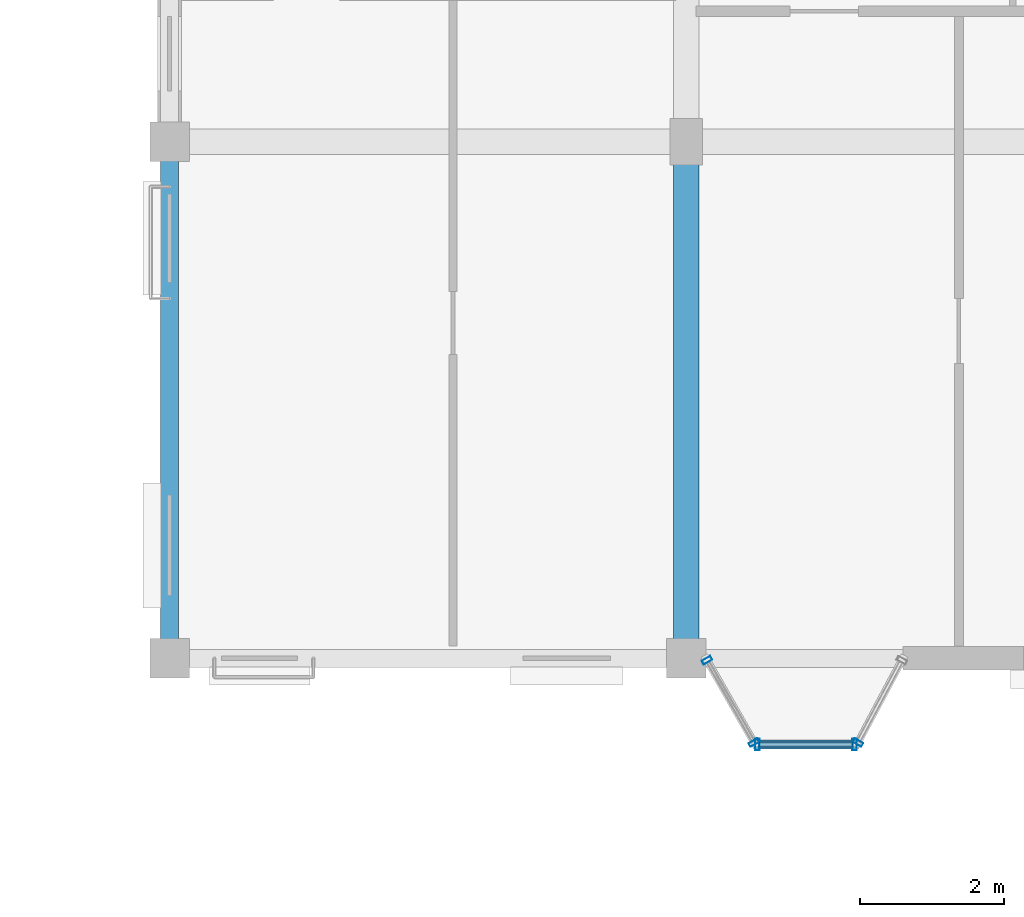
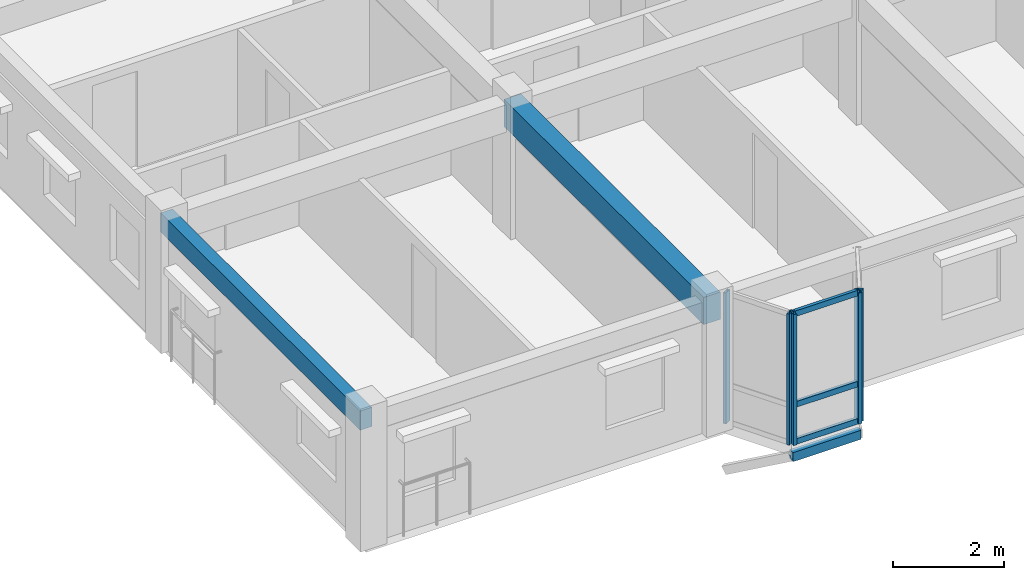
# One storey, part 27 of 75: 9 members, 2 beams, 3 elements without a shape of their own.
"""IFC4 building model written with IfcOpenShell, lengths in metres."""

from ifc_helpers import new_model, si_unit, direction, frame, origin, origin_2d, place, context, subcontext, project, spatial, rectangle, hollow_rectangle, extrude, material, layer, layer_set, material_profile, profile_set, type_object, element, aggregate, save


model = new_model("IFC4")

# Units and contexts
model_context = context("Model", 3, precision=1e-05, world=origin(), true_north=direction((0.0, 1.0)))
body_context = subcontext(model_context, "Body", "Model", "MODEL_VIEW")
ifc_project = project(units=[si_unit("LENGTHUNIT", "METRE"), si_unit("AREAUNIT", "SQUARE_METRE"), si_unit("VOLUMEUNIT", "CUBIC_METRE"), si_unit("PLANEANGLEUNIT", "RADIAN"), si_unit("MASSUNIT", "GRAM", prefix="KILO"), si_unit("THERMODYNAMICTEMPERATUREUNIT", "KELVIN"), si_unit("POWERUNIT", "WATT")], contexts=[model_context])

# Site, building, storey
site_placement = place(None, origin())
site = spatial("IfcSite", under=ifc_project, at=site_placement, CompositionType="ELEMENT")
building_placement = place(site_placement, origin())
building = spatial("IfcBuilding", under=site, at=building_placement, Name="Tavuni Mirador Residences", CompositionType="ELEMENT")
storey_placement = place(building_placement, frame((0.0, 0.0, 20.25)))
storey = spatial("IfcBuildingStorey", under=building, at=storey_placement, Name="L06", CompositionType="ELEMENT", Elevation=20.25)

# Beams
ifc_material_1 = material(Name="Precast concrete C40/50", Category="concrete")
ifc_material_profile_1 = material_profile(ifc_material_1, rectangle(XDim=0.35009765625, YDim=0.60009765625, at=origin_2d()), Name="PC 350x600", Category="concrete")
ifc_profile_set_1 = profile_set([ifc_material_profile_1], Name="Precast concrete C40/50")
beam_type_1 = type_object("IfcBeamType", Name="BT-B600", PredefinedType="BEAM", material=ifc_profile_set_1)
beam_1_placement = place(storey_placement, frame((18.0, 144.0, 2.5849609375), z_axis=(0.0, 1.0, 0.0), x_axis=(-1.0, 0.0, 0.0)))
element("IfcBeam", 1, at=beam_1_placement, inside=storey, type_object=beam_type_1, Name="BMY-BLK-C-L06-01-00", PredefinedType="BEAM", context=body_context, shape_type="SweptSolid", body=[
    extrude(rectangle(XDim=0.35009765625, YDim=0.60009765625, at=origin_2d()), origin(), (0.0, 0.0, 1.0), 7.199951171875),
])
ifc_material_profile_2 = material_profile(ifc_material_1, rectangle(XDim=0.25, YDim=0.419921875, at=origin_2d()), Name="PC 250x420", Category="concrete")
ifc_profile_set_2 = profile_set([ifc_material_profile_2], Name="Precast concrete C40/50")
beam_type_2 = type_object("IfcBeamType", Name="BT-SP420", PredefinedType="SPANDREL", material=ifc_profile_set_2)
beam_2_placement = place(storey_placement, frame((10.800048828125, 144.0, 2.675048828125), z_axis=(0.0, 1.0, 0.0), x_axis=(-1.0, 0.0, 0.0)))
element("IfcBeam", 2, at=beam_2_placement, inside=storey, type_object=beam_type_2, Name="BMY-BLK-C-L06-00-00", PredefinedType="SPANDREL", context=body_context, shape_type="SweptSolid", body=[
    extrude(rectangle(XDim=0.25, YDim=0.419921875, at=origin_2d()), origin(), (0.0, 0.0, 1.0), 7.199951171875),
])

# Curtain wall, members
ifc_material_2 = material(Name="Anodised aluminium", Category="aluminium")
ifc_layer_1 = layer(ifc_material_2, 0.1650390625, Name="Anodised aluminium", Category="aluminium")
ifc_layer_set_1 = layer_set([ifc_layer_1], Name="Anodised aluminium")
curtain_wall_type_1 = type_object("IfcCurtainWallType", Name="CWT-MIR-A", PredefinedType="NOTDEFINED", material=ifc_layer_set_1)
curtain_wall_1_placement = place(storey_placement, origin())
curtain_wall_1 = element("IfcCurtainWall", 3, at=curtain_wall_1_placement, inside=storey, type_object=curtain_wall_type_1, Name="CW-MIR-C-S1-L06-M1", PredefinedType="NOTDEFINED")
ifc_material_profile_3 = material_profile(ifc_material_2, hollow_rectangle(XDim=0.06005859375, YDim=0.139892578125, WallThickness=0.00390625, at=origin_2d()), Name="ALU 60x140x4.0", Category="aluminium")
ifc_profile_set_3 = profile_set([ifc_material_profile_3], Name="Anodised aluminium")
member_type_1 = type_object("IfcMemberType", Name="CWM-140", PredefinedType="MULLION", material=ifc_profile_set_3)
member_1_placement = place(storey_placement, frame((18.289794921875, 143.973876953125, 0.0), z_axis=(0.0, 0.0, 1.0), x_axis=(0.495749192217, -0.868465738194, 0.0)))
member_1 = element("IfcMember", 4, at=member_1_placement, type_object=member_type_1, Name="CW-01 mullion 1", PredefinedType="MULLION", context=body_context, shape_type="SweptSolid", body=[
    extrude(hollow_rectangle(XDim=0.06005859375, YDim=0.139892578125, WallThickness=0.00390625, at=origin_2d()), origin(), (0.0, 0.0, 1.0), 2.885009765625),
])
member_2_placement = place(storey_placement, frame((18.945068359375, 142.826171875, 0.0), z_axis=(0.0, 0.0, 1.0), x_axis=(0.495749192217, -0.868465738194, 0.0)))
member_2 = element("IfcMember", 5, at=member_2_placement, type_object=member_type_1, Name="CW-01 mullion 2", PredefinedType="MULLION", context=body_context, shape_type="SweptSolid", body=[
    extrude(hollow_rectangle(XDim=0.06005859375, YDim=0.139892578125, WallThickness=0.00390625, at=origin_2d()), origin(), (0.0, 0.0, 1.0), 2.885009765625),
])
aggregate(curtain_wall_1, [member_1, member_2])

# Curtain wall, member
ifc_layer_2 = layer(ifc_material_2, 0.175048828125, Name="Anodised aluminium", Category="aluminium")
ifc_layer_set_2 = layer_set([ifc_layer_2], Name="Anodised aluminium")
curtain_wall_type_2 = type_object("IfcCurtainWallType", Name="CWT-MIR-C", PredefinedType="NOTDEFINED", material=ifc_layer_set_2)
curtain_wall_2_placement = place(storey_placement, origin())
curtain_wall_2 = element("IfcCurtainWall", 6, at=curtain_wall_2_placement, inside=storey, type_object=curtain_wall_type_2, Name="CW-MIR-C-S1-L06-M2", PredefinedType="NOTDEFINED")
member_3_placement = place(storey_placement, frame((20.39404296875, 142.826416015625, 0.0), z_axis=(0.0, 0.0, 1.0), x_axis=(0.470588235296, 0.882352941175, 0.0)))
member_3 = element("IfcMember", 7, at=member_3_placement, type_object=member_type_1, Name="CW-03 mullion 1", PredefinedType="MULLION", context=body_context, shape_type="SweptSolid", body=[
    extrude(hollow_rectangle(XDim=0.06005859375, YDim=0.139892578125, WallThickness=0.00390625, at=origin_2d()), origin(), (0.0, 0.0, 1.0), 2.885009765625),
])
aggregate(curtain_wall_2, [member_3])

# Curtain wall, members
ifc_layer_3 = layer(ifc_material_2, 0.14990234375, Name="Anodised aluminium", Category="aluminium")
ifc_layer_set_3 = layer_set([ifc_layer_3], Name="Anodised aluminium")
curtain_wall_type_3 = type_object("IfcCurtainWallType", Name="CWT-MIR-B", PredefinedType="NOTDEFINED", material=ifc_layer_set_3)
curtain_wall_3_placement = place(storey_placement, origin())
curtain_wall_3 = element("IfcCurtainWall", 8, at=curtain_wall_3_placement, inside=storey, type_object=curtain_wall_type_3, Name="CW-MIR-C-S1-L06-MF", PredefinedType="NOTDEFINED")
ifc_material_profile_4 = material_profile(ifc_material_2, hollow_rectangle(XDim=0.06494140625, YDim=0.1650390625, WallThickness=0.00439453125, at=origin_2d()), Name="ALU 65x165x4.5", Category="aluminium")
ifc_profile_set_4 = profile_set([ifc_material_profile_4], Name="Anodised aluminium")
member_type_2 = type_object("IfcMemberType", Name="CWM-165", PredefinedType="MULLION", material=ifc_profile_set_4)
member_4_placement = place(storey_placement, frame((18.992431640625, 142.800048828125, 0.0), z_axis=(0.0, 0.0, 1.0), x_axis=(1.0, 0.0, 0.0)))
member_4 = element("IfcMember", 9, at=member_4_placement, type_object=member_type_2, Name="CW-02 mullion 1", PredefinedType="MULLION", context=body_context, shape_type="SweptSolid", body=[
    extrude(hollow_rectangle(XDim=0.06494140625, YDim=0.1650390625, WallThickness=0.00439453125, at=origin_2d()), origin(), (0.0, 0.0, 1.0), 2.885009765625),
])
member_5_placement = place(storey_placement, frame((20.347412109375, 142.800048828125, 0.0), z_axis=(0.0, 0.0, 1.0), x_axis=(1.0, 0.0, 0.0)))
member_5 = element("IfcMember", 10, at=member_5_placement, type_object=member_type_2, Name="CW-02 mullion 2", PredefinedType="MULLION", context=body_context, shape_type="SweptSolid", body=[
    extrude(hollow_rectangle(XDim=0.06494140625, YDim=0.1650390625, WallThickness=0.00439453125, at=origin_2d()), origin(), (0.0, 0.0, 1.0), 2.885009765625),
])
ifc_material_profile_5 = material_profile(ifc_material_2, hollow_rectangle(XDim=0.06494140625, YDim=0.125, WallThickness=0.00439453125, at=origin_2d()), Name="ALU 65x125x4.5", Category="aluminium")
ifc_profile_set_5 = profile_set([ifc_material_profile_5], Name="Anodised aluminium")
member_type_3 = type_object("IfcMemberType", Name="CWT-125", PredefinedType="USERDEFINED", material=ifc_profile_set_5)
member_6_placement = place(storey_placement, frame((19.02490234375, 142.800048828125, 0.032470703125), z_axis=(1.0, 0.0, 0.0), x_axis=(0.0, 1.0, 0.0)))
member_6 = element("IfcMember", 11, at=member_6_placement, type_object=member_type_3, Name="CW-02 transom 1.1", ObjectType="TRANSOM", PredefinedType="USERDEFINED", context=body_context, shape_type="SweptSolid", body=[
    extrude(hollow_rectangle(XDim=0.06494140625, YDim=0.125, WallThickness=0.00439453125, at=origin_2d()), origin(), (0.0, 0.0, 1.0), 1.2900390625),
])
member_7_placement = place(storey_placement, frame((19.02490234375, 142.800048828125, 0.85009765625), z_axis=(1.0, 0.0, 0.0), x_axis=(0.0, 1.0, 0.0)))
member_7 = element("IfcMember", 12, at=member_7_placement, type_object=member_type_3, Name="CW-02 transom 1.2", ObjectType="TRANSOM", PredefinedType="USERDEFINED", context=body_context, shape_type="SweptSolid", body=[
    extrude(hollow_rectangle(XDim=0.06494140625, YDim=0.125, WallThickness=0.00439453125, at=origin_2d()), origin(), (0.0, 0.0, 1.0), 1.2900390625),
])
member_8_placement = place(storey_placement, frame((19.02490234375, 142.800048828125, 2.8525390625), z_axis=(1.0, 0.0, 0.0), x_axis=(0.0, 1.0, 0.0)))
member_8 = element("IfcMember", 13, at=member_8_placement, type_object=member_type_3, Name="CW-02 transom 1.3", ObjectType="TRANSOM", PredefinedType="USERDEFINED", context=body_context, shape_type="SweptSolid", body=[
    extrude(hollow_rectangle(XDim=0.06494140625, YDim=0.125, WallThickness=0.00439453125, at=origin_2d()), origin(), (0.0, 0.0, 1.0), 1.2900390625),
])
aggregate(curtain_wall_3, [member_4, member_5, member_6, member_7, member_8])

# Member
ifc_material_3 = material(Name="Structural steel S355", Category="steel")
ifc_material_profile_6 = material_profile(ifc_material_3, hollow_rectangle(XDim=0.1201171875, YDim=0.199951171875, WallThickness=0.010009765625, at=origin_2d()), Name="RHS 200x120x10.0", Category="steel")
ifc_profile_set_6 = profile_set([ifc_material_profile_6], Name="Structural steel S355")
member_type_4 = type_object("IfcMemberType", Name="MT-ST-RHS200", PredefinedType="STRUT", material=ifc_profile_set_6)
member_9_placement = place(storey_placement, frame((18.9599609375, 142.800048828125, -0.264892578125), z_axis=(1.0, 0.0, 0.0), x_axis=(0.0, 1.0, 0.0)))
element("IfcMember", 14, at=member_9_placement, inside=storey, type_object=member_type_4, Name="MRIM-MIR-C-S1-L06", PredefinedType="STRUT", context=body_context, shape_type="SweptSolid", body=[
    extrude(hollow_rectangle(XDim=0.1201171875, YDim=0.199951171875, WallThickness=0.010009765625, at=origin_2d()), origin(), (0.0, 0.0, 1.0), 1.419921875),
])

save(model, "model.ifc")
